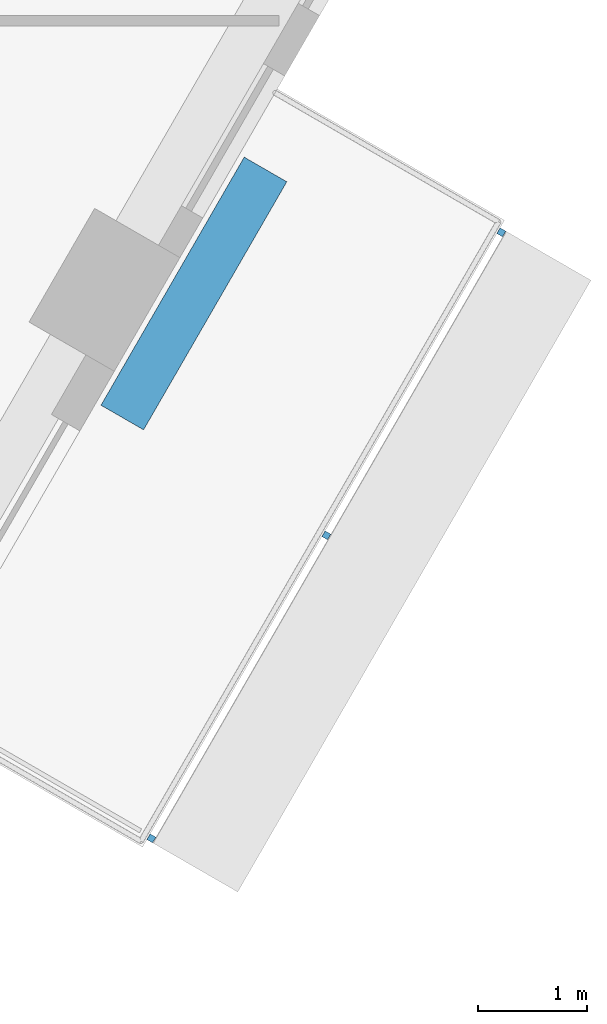
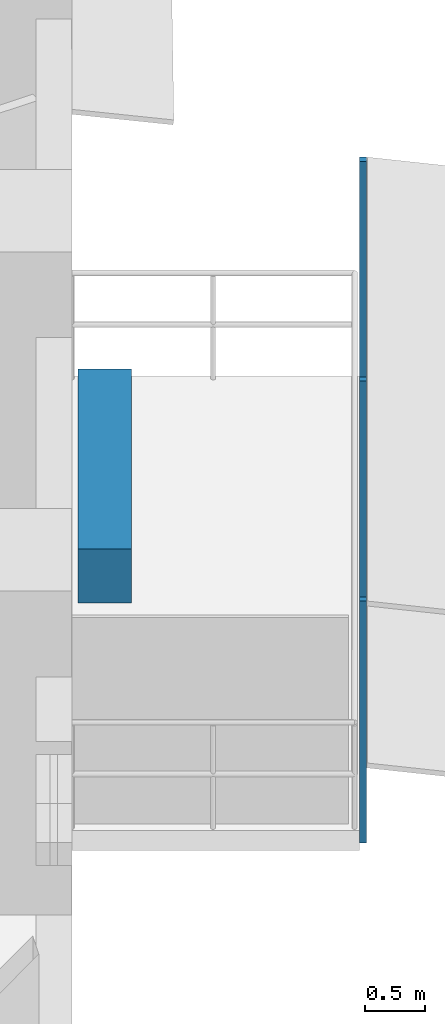
# One storey, part 12 of 17: 4 discrete accessories.
"""IFC4 building model written with IfcOpenShell, lengths in metres."""

from ifc_helpers import new_model, si_unit, direction, frame, origin, origin_2d, place, context, subcontext, project, spatial, rectangle, extrude, material, type_object, element, save


model = new_model("IFC4")

# Units and contexts
model_context = context("Model", 3, precision=1e-05, world=origin(), true_north=direction((0.0, 1.0)))
body_context = subcontext(model_context, "Body", "Model", "MODEL_VIEW")
ifc_project = project(units=[si_unit("LENGTHUNIT", "METRE"), si_unit("AREAUNIT", "SQUARE_METRE"), si_unit("VOLUMEUNIT", "CUBIC_METRE"), si_unit("PLANEANGLEUNIT", "RADIAN"), si_unit("MASSUNIT", "GRAM", prefix="KILO")], contexts=[model_context])

# Site, building, storey
site_placement = place(None, origin())
site = spatial("IfcSite", under=ifc_project, at=site_placement, CompositionType="ELEMENT")
building_placement = place(site_placement, origin())
building = spatial("IfcBuilding", under=site, at=building_placement, Name="Nakaniwa Court", CompositionType="ELEMENT")
storey_placement = place(building_placement, frame((0.0, 0.0, 209.699951171875)))
storey = spatial("IfcBuildingStorey", under=building, at=storey_placement, Name="L55", CompositionType="ELEMENT", Elevation=209.699951171875)

# Discrete accessories
ifc_material_1 = material(Name="Black powder-coated steel bracket S275", Category="steel")
discrete_accessory_type_1 = type_object("IfcDiscreteAccessoryType", Name="Black metal louvre bracket", PredefinedType="BRACKET", material=ifc_material_1)
for number, where, z_axis, x_axis, name in (
    (1, (99.568603515625, 63.734130859375, -0.229736328125), (0.0, 0.0, 1.0), (0.500016626402, 0.866015804314, 0.0), "L55 louvre bracket 03 1"),
    (2, (101.168701171875, 66.505126953125, -0.229736328125), (0.0, 0.0, 1.0), (0.500016626402, 0.866015804314, 0.0), "L55 louvre bracket 03 2"),
    (3, (102.7685546875, 69.27587890625, -0.229736328125), (0.0, 0.0, 1.0), (0.500016626402, 0.866015804314, 0.0), "L55 louvre bracket 03 3"),
):
    element("IfcDiscreteAccessory", number, at=place(storey_placement, frame(where, z_axis=z_axis, x_axis=x_axis)), inside=storey, type_object=discrete_accessory_type_1, Name=name, PredefinedType="BRACKET", context=body_context, shape_type="SweptSolid", body=[
        extrude(rectangle(XDim=0.06005859375, YDim=0.06005859375, at=origin_2d()), origin(), (0.0, 0.0, 1.0), 2.46337890625),
    ])
ifc_material_2 = material(Name="Precast concrete C40/50 planter with planted soil", Category="concrete")
discrete_accessory_type_2 = type_object("IfcDiscreteAccessoryType", Name="Planter box charcoal concrete", PredefinedType="USERDEFINED", material=ifc_material_2)
discrete_accessory_placement = place(storey_placement, frame((99.957275390625, 68.716796875, -0.0498046875), z_axis=(0.0, 0.0, 1.0), x_axis=(0.500016626402, 0.866015804314, 0.0)))
element("IfcDiscreteAccessory", 4, at=discrete_accessory_placement, inside=storey, type_object=discrete_accessory_type_2, Name="L55 balcony PLANTER 03", ObjectType="PLANTER", PredefinedType="USERDEFINED", context=body_context, shape_type="SweptSolid", body=[
    extrude(rectangle(XDim=2.61962890625, YDim=0.449951171875, at=origin_2d()), origin(), (0.0, 0.0, 1.0), 0.550048828125),
])

save(model, "model.ifc")
